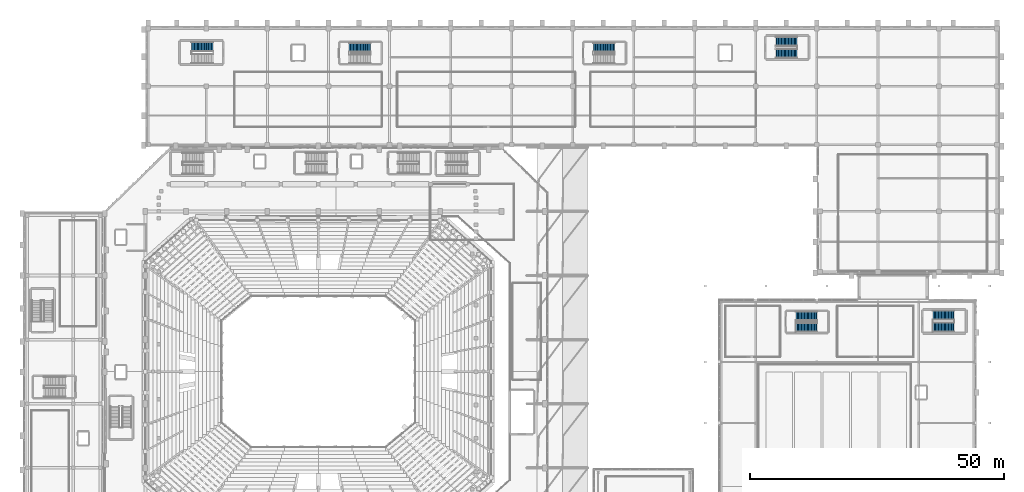
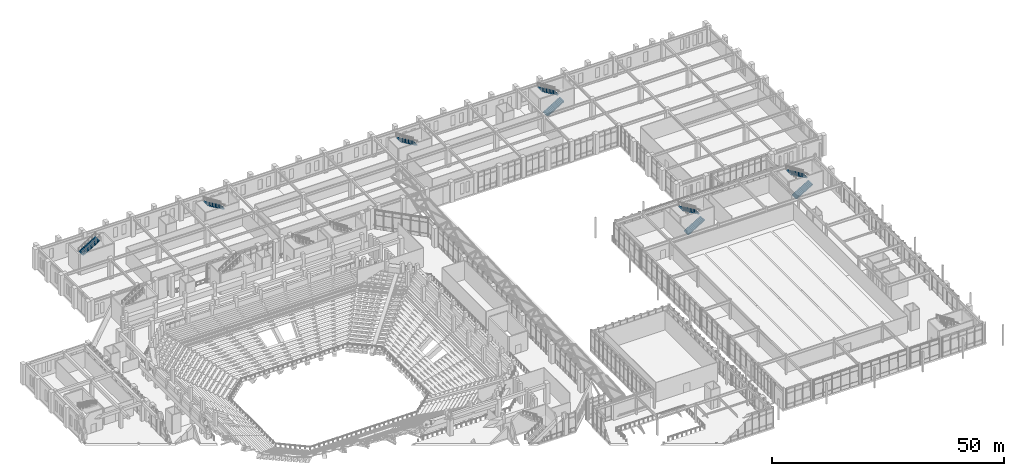
# One storey, part 142 of 159: 9 stair flights, 6 elements without a shape of their own.
"""IFC4 building model written with IfcOpenShell, lengths in metres."""

from ifc_helpers import new_model, si_unit, derived_unit, direction, frame, origin, place, context, subcontext, project, spatial, polyline, outline, extrude, material, type_object, element, aggregate, save


model = new_model("IFC4")

# Units and contexts
model_context = context("Model", 3, precision=1e-05, world=origin(), true_north=direction((0.0, 1.0)))
body_context = subcontext(model_context, "Body", "Model", "MODEL_VIEW")
ifc_project = project(units=[si_unit("LENGTHUNIT", "METRE"), si_unit("AREAUNIT", "SQUARE_METRE"), si_unit("VOLUMEUNIT", "CUBIC_METRE"), si_unit("PLANEANGLEUNIT", "RADIAN"), si_unit("MASSUNIT", "GRAM", prefix="KILO"), derived_unit("THERMALTRANSMITTANCEUNIT", [(si_unit("MASSUNIT", "GRAM", prefix="KILO"), 1), (si_unit("TIMEUNIT", "SECOND"), -3), (si_unit("THERMODYNAMICTEMPERATUREUNIT", "KELVIN"), -1)])], contexts=[model_context])

# Site, building, storey
site_placement = place(None, origin())
site = spatial("IfcSite", under=ifc_project, at=site_placement, CompositionType="ELEMENT")
building_placement = place(site_placement, origin())
building = spatial("IfcBuilding", under=site, at=building_placement, Name="Valcora Ridge Arena", CompositionType="ELEMENT")
storey_placement = place(building_placement, frame((0.0, 0.0, 6.0)))
storey = spatial("IfcBuildingStorey", under=building, at=storey_placement, Name="L01", CompositionType="ELEMENT", Elevation=6.0)

# Stair, stair flight
ifc_material = material(Name="Concrete C40/50", Category="concrete")
stair_type_1 = type_object("IfcStairType", Name="TY-STAIR-ES09-54", PredefinedType="HALF_TURN_STAIR", material=ifc_material)
stair_1_placement = place(storey_placement, origin())
stair_1 = element("IfcStair", 1, at=stair_1_placement, inside=storey, type_object=stair_type_1, Name="ES09-54 STR-ES-0031", PredefinedType="HALF_TURN_STAIR")
stair_flight_type_1 = type_object("IfcStairFlightType", Name="TY-FLIGHT-ES09-54", PredefinedType="STRAIGHT", material=ifc_material)
stair_flight_1_placement = place(storey_placement, frame((68.260009765625, 127.820068359375, 2.699951171875), z_axis=(0.0, 0.0, 1.0), x_axis=(-1.0, 0.0, 0.0)))
stair_flight_1 = element("IfcStairFlight", 2, at=stair_flight_1_placement, type_object=stair_flight_type_1, Name="ES09-54 flight 2", NumberOfRisers=16, NumberOfTreads=15, PredefinedType="STRAIGHT", RiserHeight=0.16875, TreadLength=0.28, context=body_context, shape_type="SweptSolid", body=[
    extrude(outline(polyline([(0.0, 0.0), (0.0, 0.168701171875), (0.280029296875, 0.168701171875), (0.280029296875, 0.33740234375), (0.56005859375, 0.33740234375), (0.56005859375, 0.50634765625), (0.840087890625, 0.50634765625), (0.840087890625, 0.675048828125), (1.1201171875, 0.675048828125), (1.1201171875, 0.84375), (1.39990234375, 0.84375), (1.39990234375, 1.012451171875), (1.679931640625, 1.012451171875), (1.679931640625, 1.18115234375), (1.9599609375, 1.18115234375), (1.9599609375, 1.35009765625), (2.239990234375, 1.35009765625), (2.239990234375, 1.518798828125), (2.52001953125, 1.518798828125), (2.52001953125, 1.6875), (2.800048828125, 1.6875), (2.800048828125, 1.856201171875), (3.080078125, 1.856201171875), (3.080078125, 2.02490234375), (3.360107421875, 2.02490234375), (3.360107421875, 2.19384765625), (3.639892578125, 2.19384765625), (3.639892578125, 2.362548828125), (3.919921875, 2.362548828125), (3.919921875, 2.53125), (4.199951171875, 2.53125), (4.199951171875, 2.699951171875), (4.199951171875, 2.3212890625), (0.3486328125, 0.0), (0.0, 0.0)])), frame((0.0, 0.89990234375, 0.0), z_axis=(0.0, -1.0, 0.0), x_axis=(1.0, 0.0, 0.0)), (0.0, 0.0, 1.0), 1.800048828125),
])
aggregate(stair_1, [stair_flight_1])

stair_type_2 = type_object("IfcStairType", Name="TY-STAIR-ES10-54", PredefinedType="HALF_TURN_STAIR", material=ifc_material)
stair_2_placement = place(storey_placement, origin())
stair_2 = element("IfcStair", 3, at=stair_2_placement, inside=storey, type_object=stair_type_2, Name="ES10-54 STR-ES-0034", PredefinedType="HALF_TURN_STAIR")
stair_flight_type_2 = type_object("IfcStairFlightType", Name="TY-FLIGHT-ES10-54", PredefinedType="STRAIGHT", material=ifc_material)
stair_flight_2_placement = place(storey_placement, frame((116.260009765625, 127.820068359375, 2.699951171875), z_axis=(0.0, 0.0, 1.0), x_axis=(-1.0, 0.0, 0.0)))
stair_flight_2 = element("IfcStairFlight", 4, at=stair_flight_2_placement, type_object=stair_flight_type_2, Name="ES10-54 flight 2", NumberOfRisers=16, NumberOfTreads=15, PredefinedType="STRAIGHT", RiserHeight=0.16875, TreadLength=0.28, context=body_context, shape_type="SweptSolid", body=[
    extrude(outline(polyline([(0.0, 0.0), (0.0, 0.168701171875), (0.280029296875, 0.168701171875), (0.280029296875, 0.33740234375), (0.56005859375, 0.33740234375), (0.56005859375, 0.50634765625), (0.840087890625, 0.50634765625), (0.840087890625, 0.675048828125), (1.1201171875, 0.675048828125), (1.1201171875, 0.84375), (1.39990234375, 0.84375), (1.39990234375, 1.012451171875), (1.679931640625, 1.012451171875), (1.679931640625, 1.18115234375), (1.9599609375, 1.18115234375), (1.9599609375, 1.35009765625), (2.239990234375, 1.35009765625), (2.239990234375, 1.518798828125), (2.52001953125, 1.518798828125), (2.52001953125, 1.6875), (2.800048828125, 1.6875), (2.800048828125, 1.856201171875), (3.080078125, 1.856201171875), (3.080078125, 2.02490234375), (3.360107421875, 2.02490234375), (3.360107421875, 2.19384765625), (3.639892578125, 2.19384765625), (3.639892578125, 2.362548828125), (3.919921875, 2.362548828125), (3.919921875, 2.53125), (4.199951171875, 2.53125), (4.199951171875, 2.699951171875), (4.199951171875, 2.3212890625), (0.3486328125, 0.0), (0.0, 0.0)])), frame((0.0, 0.89990234375, 0.0), z_axis=(0.0, -1.0, 0.0), x_axis=(1.0, 0.0, 0.0)), (0.0, 0.0, 1.0), 1.800048828125),
])
aggregate(stair_2, [stair_flight_2])

# Stair, stair flights
stair_type_3 = type_object("IfcStairType", Name="TY-STAIR-ES12-54", PredefinedType="HALF_TURN_STAIR", material=ifc_material)
stair_3_placement = place(storey_placement, origin())
stair_3 = element("IfcStair", 5, at=stair_3_placement, inside=storey, type_object=stair_type_3, Name="ES12-54 STR-ES-0038", PredefinedType="HALF_TURN_STAIR")
stair_flight_type_3 = type_object("IfcStairFlightType", Name="TY-FLIGHT-ES12-54", PredefinedType="STRAIGHT", material=ifc_material)
stair_flight_3_placement = place(storey_placement, frame((151.860107421875, 72.780029296875, 0.0), z_axis=(0.0, 0.0, 1.0), x_axis=(1.0, 0.0, 0.0)))
stair_flight_3 = element("IfcStairFlight", 6, at=stair_flight_3_placement, type_object=stair_flight_type_3, Name="ES12-54 flight 1", NumberOfRisers=16, NumberOfTreads=15, PredefinedType="STRAIGHT", RiserHeight=0.16875, TreadLength=0.28, context=body_context, shape_type="SweptSolid", body=[
    extrude(outline(polyline([(0.0, 0.0), (0.0, 0.168701171875), (0.280029296875, 0.168701171875), (0.280029296875, 0.33740234375), (0.56005859375, 0.33740234375), (0.56005859375, 0.50634765625), (0.840087890625, 0.50634765625), (0.840087890625, 0.675048828125), (1.1201171875, 0.675048828125), (1.1201171875, 0.84375), (1.39990234375, 0.84375), (1.39990234375, 1.012451171875), (1.679931640625, 1.012451171875), (1.679931640625, 1.18115234375), (1.9599609375, 1.18115234375), (1.9599609375, 1.35009765625), (2.239990234375, 1.35009765625), (2.239990234375, 1.518798828125), (2.52001953125, 1.518798828125), (2.52001953125, 1.6875), (2.800048828125, 1.6875), (2.800048828125, 1.856201171875), (3.080078125, 1.856201171875), (3.080078125, 2.02490234375), (3.360107421875, 2.02490234375), (3.360107421875, 2.19384765625), (3.639892578125, 2.19384765625), (3.639892578125, 2.362548828125), (3.919921875, 2.362548828125), (3.919921875, 2.53125), (4.199951171875, 2.53125), (4.199951171875, 2.699951171875), (4.199951171875, 2.3212890625), (0.3486328125, 0.0), (0.0, 0.0)])), frame((0.0, 0.89990234375, 0.0), z_axis=(0.0, -1.0, 0.0), x_axis=(1.0, 0.0, 0.0)), (0.0, 0.0, 1.0), 1.800048828125),
])
stair_flight_4_placement = place(storey_placement, frame((156.06005859375, 75.02001953125, 2.699951171875), z_axis=(0.0, 0.0, 1.0), x_axis=(-1.0, 0.0, 0.0)))
stair_flight_4 = element("IfcStairFlight", 7, at=stair_flight_4_placement, type_object=stair_flight_type_3, Name="ES12-54 flight 2", NumberOfRisers=16, NumberOfTreads=15, PredefinedType="STRAIGHT", RiserHeight=0.16875, TreadLength=0.28, context=body_context, shape_type="SweptSolid", body=[
    extrude(outline(polyline([(0.0, 0.0), (0.0, 0.168701171875), (0.280029296875, 0.168701171875), (0.280029296875, 0.33740234375), (0.56005859375, 0.33740234375), (0.56005859375, 0.50634765625), (0.840087890625, 0.50634765625), (0.840087890625, 0.675048828125), (1.1201171875, 0.675048828125), (1.1201171875, 0.84375), (1.39990234375, 0.84375), (1.39990234375, 1.012451171875), (1.679931640625, 1.012451171875), (1.679931640625, 1.18115234375), (1.9599609375, 1.18115234375), (1.9599609375, 1.35009765625), (2.239990234375, 1.35009765625), (2.239990234375, 1.518798828125), (2.52001953125, 1.518798828125), (2.52001953125, 1.6875), (2.800048828125, 1.6875), (2.800048828125, 1.856201171875), (3.080078125, 1.856201171875), (3.080078125, 2.02490234375), (3.360107421875, 2.02490234375), (3.360107421875, 2.19384765625), (3.639892578125, 2.19384765625), (3.639892578125, 2.362548828125), (3.919921875, 2.362548828125), (3.919921875, 2.53125), (4.199951171875, 2.53125), (4.199951171875, 2.699951171875), (4.199951171875, 2.3212890625), (0.3486328125, 0.0), (0.0, 0.0)])), frame((0.0, 0.89990234375, 0.0), z_axis=(0.0, -1.0, 0.0), x_axis=(1.0, 0.0, 0.0)), (0.0, 0.0, 1.0), 1.800048828125),
])
aggregate(stair_3, [stair_flight_3, stair_flight_4])

# Stair, stair flight
stair_type_4 = type_object("IfcStairType", Name="TY-STAIR-ST09-54", PredefinedType="HALF_TURN_STAIR", material=ifc_material)
stair_4_placement = place(storey_placement, origin())
stair_4 = element("IfcStair", 8, at=stair_4_placement, inside=storey, type_object=stair_type_4, Name="ST09-54 STR-CR-0039", PredefinedType="HALF_TURN_STAIR")
stair_flight_type_4 = type_object("IfcStairFlightType", Name="TY-FLIGHT-ST09-54", PredefinedType="STRAIGHT", material=ifc_material)
stair_flight_5_placement = place(storey_placement, frame((33.090087890625, 127.9951171875, 2.699951171875), z_axis=(0.0, 0.0, 1.0), x_axis=(1.0, 0.0, 0.0)))
stair_flight_5 = element("IfcStairFlight", 9, at=stair_flight_5_placement, type_object=stair_flight_type_4, Name="ST09-54 flight 2", NumberOfRisers=16, NumberOfTreads=15, PredefinedType="STRAIGHT", RiserHeight=0.16875, TreadLength=0.28, context=body_context, shape_type="SweptSolid", body=[
    extrude(outline(polyline([(0.0, 0.0), (0.0, 0.168701171875), (0.280029296875, 0.168701171875), (0.280029296875, 0.33740234375), (0.56005859375, 0.33740234375), (0.56005859375, 0.50634765625), (0.840087890625, 0.50634765625), (0.840087890625, 0.675048828125), (1.1201171875, 0.675048828125), (1.1201171875, 0.84375), (1.39990234375, 0.84375), (1.39990234375, 1.012451171875), (1.679931640625, 1.012451171875), (1.679931640625, 1.18115234375), (1.9599609375, 1.18115234375), (1.9599609375, 1.35009765625), (2.239990234375, 1.35009765625), (2.239990234375, 1.518798828125), (2.52001953125, 1.518798828125), (2.52001953125, 1.6875), (2.800048828125, 1.6875), (2.800048828125, 1.856201171875), (3.080078125, 1.856201171875), (3.080078125, 2.02490234375), (3.360107421875, 2.02490234375), (3.360107421875, 2.19384765625), (3.639892578125, 2.19384765625), (3.639892578125, 2.362548828125), (3.919921875, 2.362548828125), (3.919921875, 2.53125), (4.199951171875, 2.53125), (4.199951171875, 2.699951171875), (4.199951171875, 2.3212890625), (0.3486328125, 0.0), (0.0, 0.0)])), frame((0.0, 0.925048828125, 0.0), z_axis=(0.0, -1.0, 0.0), x_axis=(1.0, 0.0, 0.0)), (0.0, 0.0, 1.0), 1.85009765625),
])
aggregate(stair_4, [stair_flight_5])

# Stair, stair flights
stair_type_5 = type_object("IfcStairType", Name="TY-STAIR-ST10-54", PredefinedType="HALF_TURN_STAIR", material=ifc_material)
stair_5_placement = place(storey_placement, origin())
stair_5 = element("IfcStair", 10, at=stair_5_placement, inside=storey, type_object=stair_type_5, Name="ST10-54 STR-CR-0043", PredefinedType="HALF_TURN_STAIR")
stair_flight_type_5 = type_object("IfcStairFlightType", Name="TY-FLIGHT-ST10-54", PredefinedType="STRAIGHT", material=ifc_material)
stair_flight_6_placement = place(storey_placement, frame((147.909912109375, 126.60498046875, 0.0), z_axis=(0.0, 0.0, 1.0), x_axis=(1.0, 0.0, 0.0)))
stair_flight_6 = element("IfcStairFlight", 11, at=stair_flight_6_placement, type_object=stair_flight_type_5, Name="ST10-54 flight 1", NumberOfRisers=16, NumberOfTreads=15, PredefinedType="STRAIGHT", RiserHeight=0.16875, TreadLength=0.28, context=body_context, shape_type="SweptSolid", body=[
    extrude(outline(polyline([(0.0, 0.0), (0.0, 0.168701171875), (0.280029296875, 0.168701171875), (0.280029296875, 0.33740234375), (0.56005859375, 0.33740234375), (0.56005859375, 0.50634765625), (0.840087890625, 0.50634765625), (0.840087890625, 0.675048828125), (1.1201171875, 0.675048828125), (1.1201171875, 0.84375), (1.39990234375, 0.84375), (1.39990234375, 1.012451171875), (1.679931640625, 1.012451171875), (1.679931640625, 1.18115234375), (1.9599609375, 1.18115234375), (1.9599609375, 1.35009765625), (2.239990234375, 1.35009765625), (2.239990234375, 1.518798828125), (2.52001953125, 1.518798828125), (2.52001953125, 1.6875), (2.800048828125, 1.6875), (2.800048828125, 1.856201171875), (3.080078125, 1.856201171875), (3.080078125, 2.02490234375), (3.360107421875, 2.02490234375), (3.360107421875, 2.19384765625), (3.639892578125, 2.19384765625), (3.639892578125, 2.362548828125), (3.919921875, 2.362548828125), (3.919921875, 2.53125), (4.199951171875, 2.53125), (4.199951171875, 2.699951171875), (4.199951171875, 2.3212890625), (0.3486328125, 0.0), (0.0, 0.0)])), frame((0.0, 0.925048828125, 0.0), z_axis=(0.0, -1.0, 0.0), x_axis=(1.0, 0.0, 0.0)), (0.0, 0.0, 1.0), 1.85009765625),
])
stair_flight_7_placement = place(storey_placement, frame((152.110107421875, 128.9951171875, 2.699951171875), z_axis=(0.0, 0.0, 1.0), x_axis=(-1.0, 0.0, 0.0)))
stair_flight_7 = element("IfcStairFlight", 12, at=stair_flight_7_placement, type_object=stair_flight_type_5, Name="ST10-54 flight 2", NumberOfRisers=16, NumberOfTreads=15, PredefinedType="STRAIGHT", RiserHeight=0.16875, TreadLength=0.28, context=body_context, shape_type="SweptSolid", body=[
    extrude(outline(polyline([(0.0, 0.0), (0.0, 0.168701171875), (0.280029296875, 0.168701171875), (0.280029296875, 0.33740234375), (0.56005859375, 0.33740234375), (0.56005859375, 0.50634765625), (0.840087890625, 0.50634765625), (0.840087890625, 0.675048828125), (1.1201171875, 0.675048828125), (1.1201171875, 0.84375), (1.39990234375, 0.84375), (1.39990234375, 1.012451171875), (1.679931640625, 1.012451171875), (1.679931640625, 1.18115234375), (1.9599609375, 1.18115234375), (1.9599609375, 1.35009765625), (2.239990234375, 1.35009765625), (2.239990234375, 1.518798828125), (2.52001953125, 1.518798828125), (2.52001953125, 1.6875), (2.800048828125, 1.6875), (2.800048828125, 1.856201171875), (3.080078125, 1.856201171875), (3.080078125, 2.02490234375), (3.360107421875, 2.02490234375), (3.360107421875, 2.19384765625), (3.639892578125, 2.19384765625), (3.639892578125, 2.362548828125), (3.919921875, 2.362548828125), (3.919921875, 2.53125), (4.199951171875, 2.53125), (4.199951171875, 2.699951171875), (4.199951171875, 2.3212890625), (0.3486328125, 0.0), (0.0, 0.0)])), frame((0.0, 0.925048828125, 0.0), z_axis=(0.0, -1.0, 0.0), x_axis=(1.0, 0.0, 0.0)), (0.0, 0.0, 1.0), 1.85009765625),
])
aggregate(stair_5, [stair_flight_6, stair_flight_7])

stair_type_6 = type_object("IfcStairType", Name="TY-STAIR-ST12-54", PredefinedType="HALF_TURN_STAIR", material=ifc_material)
stair_6_placement = place(storey_placement, origin())
stair_6 = element("IfcStair", 13, at=stair_6_placement, inside=storey, type_object=stair_type_6, Name="ST12-54 STR-CR-0048", PredefinedType="HALF_TURN_STAIR")
stair_flight_type_6 = type_object("IfcStairFlightType", Name="TY-FLIGHT-ST12-54", PredefinedType="STRAIGHT", material=ifc_material)
stair_flight_8_placement = place(storey_placement, frame((178.7900390625, 72.804931640625, 0.0), z_axis=(0.0, 0.0, 1.0), x_axis=(1.0, 0.0, 0.0)))
stair_flight_8 = element("IfcStairFlight", 14, at=stair_flight_8_placement, type_object=stair_flight_type_6, Name="ST12-54 flight 1", NumberOfRisers=16, NumberOfTreads=15, PredefinedType="STRAIGHT", RiserHeight=0.16875, TreadLength=0.28, context=body_context, shape_type="SweptSolid", body=[
    extrude(outline(polyline([(0.0, 0.0), (0.0, 0.168701171875), (0.280029296875, 0.168701171875), (0.280029296875, 0.33740234375), (0.56005859375, 0.33740234375), (0.56005859375, 0.50634765625), (0.840087890625, 0.50634765625), (0.840087890625, 0.675048828125), (1.1201171875, 0.675048828125), (1.1201171875, 0.84375), (1.39990234375, 0.84375), (1.39990234375, 1.012451171875), (1.679931640625, 1.012451171875), (1.679931640625, 1.18115234375), (1.9599609375, 1.18115234375), (1.9599609375, 1.35009765625), (2.239990234375, 1.35009765625), (2.239990234375, 1.518798828125), (2.52001953125, 1.518798828125), (2.52001953125, 1.6875), (2.800048828125, 1.6875), (2.800048828125, 1.856201171875), (3.080078125, 1.856201171875), (3.080078125, 2.02490234375), (3.360107421875, 2.02490234375), (3.360107421875, 2.19384765625), (3.639892578125, 2.19384765625), (3.639892578125, 2.362548828125), (3.919921875, 2.362548828125), (3.919921875, 2.53125), (4.199951171875, 2.53125), (4.199951171875, 2.699951171875), (4.199951171875, 2.3212890625), (0.3486328125, 0.0), (0.0, 0.0)])), frame((0.0, 0.925048828125, 0.0), z_axis=(0.0, -1.0, 0.0), x_axis=(1.0, 0.0, 0.0)), (0.0, 0.0, 1.0), 1.85009765625),
])
stair_flight_9_placement = place(storey_placement, frame((182.989990234375, 75.195068359375, 2.699951171875), z_axis=(0.0, 0.0, 1.0), x_axis=(-1.0, 0.0, 0.0)))
stair_flight_9 = element("IfcStairFlight", 15, at=stair_flight_9_placement, type_object=stair_flight_type_6, Name="ST12-54 flight 2", NumberOfRisers=16, NumberOfTreads=15, PredefinedType="STRAIGHT", RiserHeight=0.16875, TreadLength=0.28, context=body_context, shape_type="SweptSolid", body=[
    extrude(outline(polyline([(0.0, 0.0), (0.0, 0.168701171875), (0.280029296875, 0.168701171875), (0.280029296875, 0.33740234375), (0.56005859375, 0.33740234375), (0.56005859375, 0.50634765625), (0.840087890625, 0.50634765625), (0.840087890625, 0.675048828125), (1.1201171875, 0.675048828125), (1.1201171875, 0.84375), (1.39990234375, 0.84375), (1.39990234375, 1.012451171875), (1.679931640625, 1.012451171875), (1.679931640625, 1.18115234375), (1.9599609375, 1.18115234375), (1.9599609375, 1.35009765625), (2.239990234375, 1.35009765625), (2.239990234375, 1.518798828125), (2.52001953125, 1.518798828125), (2.52001953125, 1.6875), (2.800048828125, 1.6875), (2.800048828125, 1.856201171875), (3.080078125, 1.856201171875), (3.080078125, 2.02490234375), (3.360107421875, 2.02490234375), (3.360107421875, 2.19384765625), (3.639892578125, 2.19384765625), (3.639892578125, 2.362548828125), (3.919921875, 2.362548828125), (3.919921875, 2.53125), (4.199951171875, 2.53125), (4.199951171875, 2.699951171875), (4.199951171875, 2.3212890625), (0.3486328125, 0.0), (0.0, 0.0)])), frame((0.0, 0.925048828125, 0.0), z_axis=(0.0, -1.0, 0.0), x_axis=(1.0, 0.0, 0.0)), (0.0, 0.0, 1.0), 1.85009765625),
])
aggregate(stair_6, [stair_flight_8, stair_flight_9])

save(model, "model.ifc")
